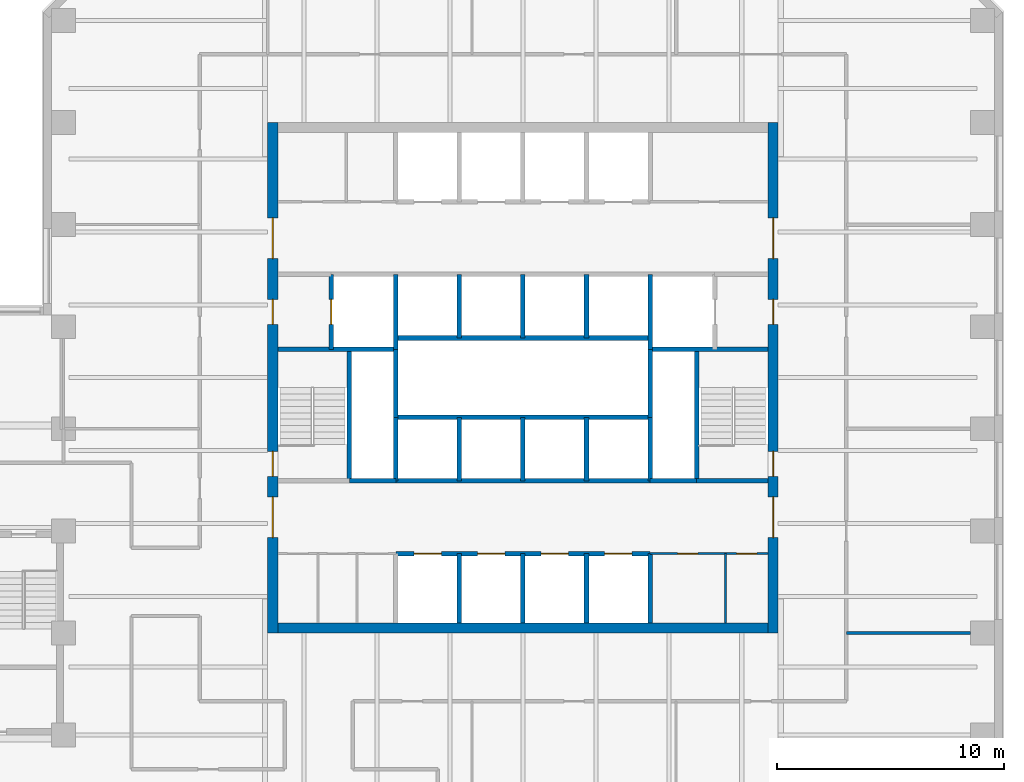
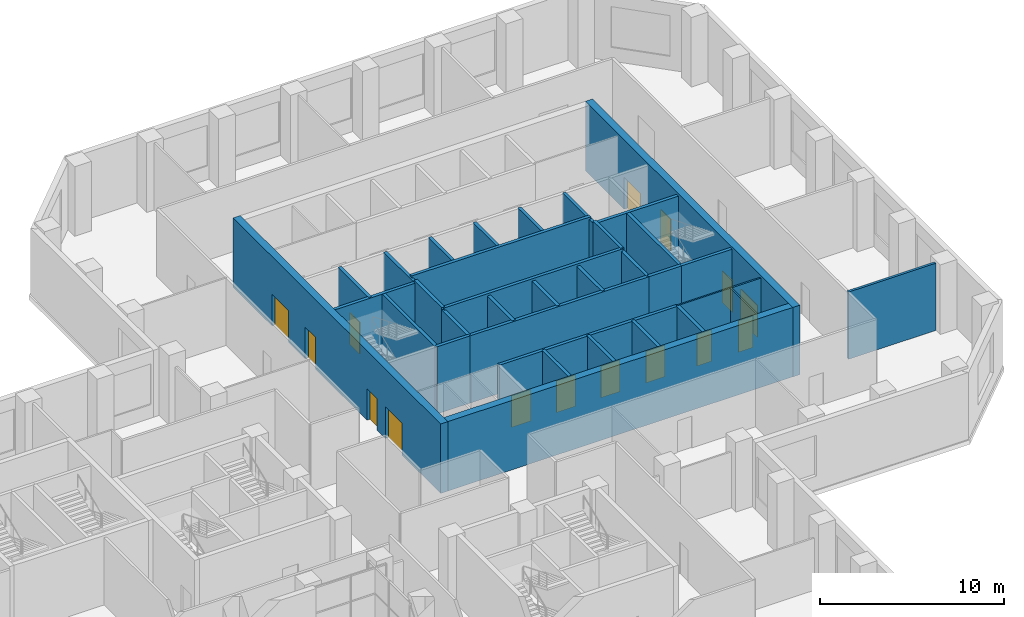
# One storey, part 9 of 14: 34 walls, 15 doors, 15 openings.
"""IFC4 building model written with IfcOpenShell, lengths in metres."""

from ifc_helpers import new_model, si_unit, direction, frame, frame_2d, origin, place, context, subcontext, project, spatial, rectangle, extrude, material, layer, layer_set, type_object, element, fill, save


model = new_model("IFC4")

# Units and contexts
model_context = context("Model", 3, precision=1e-05, world=origin(), true_north=direction((0.0, 1.0)))
body_context = subcontext(model_context, "Body", "Model", "MODEL_VIEW")
ifc_project = project(units=[si_unit("LENGTHUNIT", "METRE"), si_unit("AREAUNIT", "SQUARE_METRE"), si_unit("VOLUMEUNIT", "CUBIC_METRE"), si_unit("PLANEANGLEUNIT", "RADIAN"), si_unit("MASSUNIT", "GRAM", prefix="KILO")], contexts=[model_context])

# Site, building, storey
site_placement = place(None, origin())
site = spatial("IfcSite", under=ifc_project, at=site_placement, CompositionType="ELEMENT")
building_placement = place(site_placement, origin())
building = spatial("IfcBuilding", under=site, at=building_placement, Name="Quoin Convention Tower", CompositionType="ELEMENT")
storey_placement = place(building_placement, frame((0.0, 0.0, 74.300048828125)))
storey = spatial("IfcBuildingStorey", under=building, at=storey_placement, Name="L19", CompositionType="ELEMENT", Elevation=74.300048828125)

# Wall, openings, doors
ifc_material_1 = material(Name="Plasterboard")
ifc_layer_1 = layer(ifc_material_1, 0.012451171875, Name="Finish")
ifc_material_2 = material(Name="Steel stud framing", Category="steel")
ifc_layer_2 = layer(ifc_material_2, 0.074951171875, Name="Structure")
ifc_layer_3 = layer(ifc_material_1, 0.012451171875, Name="Finish")
ifc_layer_set_1 = layer_set([ifc_layer_1, ifc_layer_2, ifc_layer_3], Name="Steel stud framing")
wall_type_1 = type_object("IfcWallType", Name="Core partition wall", PredefinedType="PARTITIONING", material=ifc_layer_set_1)
wall_1_placement = place(storey_placement, frame((61.85009765625, 53.0, 0.0), z_axis=(0.0, 0.0, 1.0), x_axis=(1.0, 0.0, 0.0)))
wall_1 = element("IfcWall", 1, at=wall_1_placement, inside=storey, type_object=wall_type_1, Name="cr-C1-L19-h3500_16850", PredefinedType="PARTITIONING", context=body_context, shape_type="SweptSolid", body=[
    extrude(rectangle(XDim=5.199951171875, YDim=0.10009765625, at=frame_2d((2.60009765625, 0.0))), origin(), (0.0, 0.0, 1.0), 4.449951171875),
])
opening_1_placement = place(wall_1_placement, frame((3.81396484375, 0.0, 0.0)))
opening_1 = element("IfcOpeningElement", 2, at=opening_1_placement, cuts=wall_1, Name="Opening DCV1-25", PredefinedType="OPENING", context=body_context, shape_type="SweptSolid", body=[
    extrude(rectangle(XDim=0.89990234375, YDim=2.10009765625, at=frame_2d((0.449951171875, 1.050048828125))), frame((0.0, 0.06005859375, 0.0), z_axis=(0.0, -1.0, 0.0), x_axis=(1.0, 0.0, 0.0)), (0.0, 0.0, 1.0), 0.1201171875),
])
opening_2_placement = place(wall_1_placement, frame((1.214111328125, 0.0, 0.0)))
opening_2 = element("IfcOpeningElement", 3, at=opening_2_placement, cuts=wall_1, Name="Opening DCV1-21", PredefinedType="OPENING", context=body_context, shape_type="SweptSolid", body=[
    extrude(rectangle(XDim=0.89990234375, YDim=2.10009765625, at=frame_2d((0.449951171875, 1.050048828125))), frame((0.0, 0.06005859375, 0.0), z_axis=(0.0, -1.0, 0.0), x_axis=(1.0, 0.0, 0.0)), (0.0, 0.0, 1.0), 0.1201171875),
])
ifc_material_3 = material(Name="Steel door leaf", Category="steel")
door_type_1 = type_object("IfcDoorType", Name="Core room door 900 x 2100", OperationType="SINGLE_SWING_LEFT", PredefinedType="DOOR", material=ifc_material_3)
door_1_placement = place(opening_1_placement, frame((0.89990234375, 0.0, 0.0), z_axis=(0.0, 0.0, 1.0), x_axis=(-1.0, 0.0, 0.0)))
door_1 = element("IfcDoor", 4, at=door_1_placement, inside=storey, type_object=door_type_1, Name="cd-C1-L19-CSE0-lobA-CD1910", OperationType="SINGLE_SWING_LEFT", OverallHeight=2.10009765625, OverallWidth=0.89990234375, PredefinedType="DOOR", context=body_context, shape_type="SweptSolid", body=[
    extrude(rectangle(XDim=0.89990234375, YDim=2.10009765625, at=frame_2d((0.449951171875, 1.050048828125))), frame((0.0, 0.02490234375, 0.0), z_axis=(0.0, -1.0, 0.0), x_axis=(1.0, 0.0, 0.0)), (0.0, 0.0, 1.0), 0.050048828125),
])
fill(opening_1, door_1)
door_2_placement = place(opening_2_placement, frame((0.89990234375, 0.0, 0.0), z_axis=(0.0, 0.0, 1.0), x_axis=(-1.0, 0.0, 0.0)))
door_2 = element("IfcDoor", 5, at=door_2_placement, inside=storey, type_object=door_type_1, Name="cd-C1-L19-CSE1-lobA-CD1911", OperationType="SINGLE_SWING_RIGHT", OverallHeight=2.10009765625, OverallWidth=0.89990234375, PredefinedType="DOOR", context=body_context, shape_type="SweptSolid", body=[
    extrude(rectangle(XDim=0.89990234375, YDim=2.10009765625, at=frame_2d((0.449951171875, 1.050048828125))), frame((0.0, 0.02490234375, 0.0), z_axis=(0.0, -1.0, 0.0), x_axis=(1.0, 0.0, 0.0)), (0.0, 0.0, 1.0), 0.050048828125),
])
fill(opening_2, door_2)

# Wall
wall_2_placement = place(storey_placement, frame((65.177978515625, 49.949951171875, 0.0), z_axis=(0.0, 0.0, 1.0), x_axis=(0.0, 1.0, 0.0)))
element("IfcWall", 6, at=wall_2_placement, inside=storey, type_object=wall_type_1, Name="cr-C1-L19-v20178_450", PredefinedType="PARTITIONING", context=body_context, shape_type="SweptSolid", body=[
    extrude(rectangle(XDim=3.050048828125, YDim=0.10009765625, at=frame_2d((1.52490234375, 0.0))), origin(), (0.0, 0.0, 1.0), 4.449951171875),
])

# Wall, openings, doors
ifc_material_4 = material(Name="Concrete C50", Category="concrete")
ifc_layer_4 = layer(ifc_material_4, 0.199951171875)
ifc_layer_set_2 = layer_set([ifc_layer_4], Name="Concrete C50")
wall_type_2 = type_object("IfcWallType", Name="Core shaft wall", PredefinedType="SOLIDWALL", material=ifc_layer_set_2)
wall_3_placement = place(storey_placement, frame((50.64990234375, 53.0, 0.0), z_axis=(0.0, 0.0, 1.0), x_axis=(1.0, 0.0, 0.0)))
wall_3 = element("IfcWall", 7, at=wall_3_placement, inside=storey, type_object=wall_type_2, Name="cr-C1-L19-h3500_5650", PredefinedType="SOLIDWALL", context=body_context, shape_type="SweptSolid", body=[
    extrude(rectangle(XDim=11.2001953125, YDim=0.199951171875, at=frame_2d((5.60009765625, 0.0))), origin(), (0.0, 0.0, 1.0), 4.449951171875),
])
opening_3_placement = place(wall_3_placement, frame((0.800048828125, 0.0, 0.0)))
opening_3 = element("IfcOpeningElement", 8, at=opening_3_placement, cuts=wall_3, Name="Opening LDL1", PredefinedType="OPENING", context=body_context, shape_type="SweptSolid", body=[
    extrude(rectangle(XDim=1.199951171875, YDim=2.10009765625, at=frame_2d((0.60009765625, 1.050048828125))), frame((0.0, 0.10986328125, 0.0), z_axis=(0.0, -1.0, 0.0), x_axis=(1.0, 0.0, 0.0)), (0.0, 0.0, 1.0), 0.219970703125),
])
opening_4_placement = place(wall_3_placement, frame((3.60009765625, 0.0, 0.0)))
opening_4 = element("IfcOpeningElement", 9, at=opening_4_placement, cuts=wall_3, Name="Opening LDL2", PredefinedType="OPENING", context=body_context, shape_type="SweptSolid", body=[
    extrude(rectangle(XDim=1.199951171875, YDim=2.10009765625, at=frame_2d((0.60009765625, 1.050048828125))), frame((0.0, 0.10986328125, 0.0), z_axis=(0.0, -1.0, 0.0), x_axis=(1.0, 0.0, 0.0)), (0.0, 0.0, 1.0), 0.219970703125),
])
opening_5_placement = place(wall_3_placement, frame((6.39990234375, 0.0, 0.0)))
opening_5 = element("IfcOpeningElement", 10, at=opening_5_placement, cuts=wall_3, Name="Opening LDL3", PredefinedType="OPENING", context=body_context, shape_type="SweptSolid", body=[
    extrude(rectangle(XDim=1.199951171875, YDim=2.10009765625, at=frame_2d((0.60009765625, 1.050048828125))), frame((0.0, 0.10986328125, 0.0), z_axis=(0.0, -1.0, 0.0), x_axis=(1.0, 0.0, 0.0)), (0.0, 0.0, 1.0), 0.219970703125),
])
opening_6_placement = place(wall_3_placement, frame((9.199951171875, 0.0, 0.0)))
opening_6 = element("IfcOpeningElement", 11, at=opening_6_placement, cuts=wall_3, Name="Opening LDL4", PredefinedType="OPENING", context=body_context, shape_type="SweptSolid", body=[
    extrude(rectangle(XDim=1.199951171875, YDim=2.10009765625, at=frame_2d((0.60009765625, 1.050048828125))), frame((0.0, 0.10986328125, 0.0), z_axis=(0.0, -1.0, 0.0), x_axis=(1.0, 0.0, 0.0)), (0.0, 0.0, 1.0), 0.219970703125),
])
door_type_2 = type_object("IfcDoorType", Name="Lift landing door 1200 x 2100", OperationType="DOUBLE_DOOR_SLIDING", PredefinedType="DOOR", material=ifc_material_3)
door_3_placement = place(opening_3_placement, origin())
door_3 = element("IfcDoor", 12, at=door_3_placement, inside=storey, type_object=door_type_2, Name="cd-C1-L19-R10-lobA-LDL1", OperationType="DOUBLE_DOOR_SLIDING", OverallHeight=2.10009765625, OverallWidth=1.199951171875, PredefinedType="DOOR", context=body_context, shape_type="SweptSolid", body=[
    extrude(rectangle(XDim=1.199951171875, YDim=2.10009765625, at=frame_2d((0.60009765625, 1.050048828125))), frame((0.0, 0.02490234375, 0.0), z_axis=(0.0, -1.0, 0.0), x_axis=(1.0, 0.0, 0.0)), (0.0, 0.0, 1.0), 0.050048828125),
])
fill(opening_3, door_3)
door_4_placement = place(opening_4_placement, origin())
door_4 = element("IfcDoor", 13, at=door_4_placement, inside=storey, type_object=door_type_2, Name="cd-C1-L19-R11-lobA-LDL2", OperationType="DOUBLE_DOOR_SLIDING", OverallHeight=2.10009765625, OverallWidth=1.199951171875, PredefinedType="DOOR", context=body_context, shape_type="SweptSolid", body=[
    extrude(rectangle(XDim=1.199951171875, YDim=2.10009765625, at=frame_2d((0.60009765625, 1.050048828125))), frame((0.0, 0.02490234375, 0.0), z_axis=(0.0, -1.0, 0.0), x_axis=(1.0, 0.0, 0.0)), (0.0, 0.0, 1.0), 0.050048828125),
])
fill(opening_4, door_4)
door_5_placement = place(opening_5_placement, origin())
door_5 = element("IfcDoor", 14, at=door_5_placement, inside=storey, type_object=door_type_2, Name="cd-C1-L19-R12-lobA-LDL3", OperationType="DOUBLE_DOOR_SLIDING", OverallHeight=2.10009765625, OverallWidth=1.199951171875, PredefinedType="DOOR", context=body_context, shape_type="SweptSolid", body=[
    extrude(rectangle(XDim=1.199951171875, YDim=2.10009765625, at=frame_2d((0.60009765625, 1.050048828125))), frame((0.0, 0.02490234375, 0.0), z_axis=(0.0, -1.0, 0.0), x_axis=(1.0, 0.0, 0.0)), (0.0, 0.0, 1.0), 0.050048828125),
])
fill(opening_5, door_5)
door_6_placement = place(opening_6_placement, origin())
door_6 = element("IfcDoor", 15, at=door_6_placement, inside=storey, type_object=door_type_2, Name="cd-C1-L19-R13-lobA-LDL4", OperationType="DOUBLE_DOOR_SLIDING", OverallHeight=2.10009765625, OverallWidth=1.199951171875, PredefinedType="DOOR", context=body_context, shape_type="SweptSolid", body=[
    extrude(rectangle(XDim=1.199951171875, YDim=2.10009765625, at=frame_2d((0.60009765625, 1.050048828125))), frame((0.0, 0.02490234375, 0.0), z_axis=(0.0, -1.0, 0.0), x_axis=(1.0, 0.0, 0.0)), (0.0, 0.0, 1.0), 0.050048828125),
])
fill(opening_6, door_6)

# Walls
for number, where, z_axis, x_axis, name in (
    (16, (48.60009765625, 56.199951171875, 0.0), (0.0, 0.0, 1.0), (1.0, 0.0, 0.0), "cr-C1-L19-h6700_3600"),
    (17, (61.85009765625, 56.199951171875, 0.0), (0.0, 0.0, 1.0), (1.0, 0.0, 0.0), "cr-C1-L19-h6700_16850"),
):
    element("IfcWall", number, at=place(storey_placement, frame(where, z_axis=z_axis, x_axis=x_axis)), inside=storey, type_object=wall_type_2, Name=name, PredefinedType="SOLIDWALL", context=body_context, shape_type="SweptSolid", body=[
        extrude(rectangle(XDim=2.0498046875, YDim=0.199951171875, at=frame_2d((1.02490234375, 0.0))), origin(), (0.0, 0.0, 1.0), 4.449951171875),
    ])
wall_4_placement = place(storey_placement, frame((50.64990234375, 56.199951171875, 0.0), z_axis=(0.0, 0.0, 1.0), x_axis=(1.0, 0.0, 0.0)))
element("IfcWall", 18, at=wall_4_placement, inside=storey, type_object=wall_type_2, Name="cr-C1-L19-h6700_5650", PredefinedType="SOLIDWALL", context=body_context, shape_type="SweptSolid", body=[
    extrude(rectangle(XDim=11.2001953125, YDim=0.199951171875, at=frame_2d((5.60009765625, 0.0))), origin(), (0.0, 0.0, 1.0), 4.449951171875),
])
wall_5_placement = place(storey_placement, frame((63.89990234375, 56.199951171875, 0.0), z_axis=(0.0, 0.0, 1.0), x_axis=(1.0, 0.0, 0.0)))
element("IfcWall", 19, at=wall_5_placement, inside=storey, type_object=wall_type_2, Name="cr-C1-L19-h6700_18900", PredefinedType="SOLIDWALL", context=body_context, shape_type="SweptSolid", body=[
    extrude(rectangle(XDim=3.150146484375, YDim=0.199951171875, at=frame_2d((1.5751953125, 0.0))), origin(), (0.0, 0.0, 1.0), 4.449951171875),
])
for number, where, z_axis, x_axis, name in (
    (20, (45.449951171875, 62.0, 0.0), (0.0, 0.0, 1.0), (1.0, 0.0, 0.0), "cr-C1-L19-h12500_450"),
    (21, (61.85009765625, 62.0, 0.0), (0.0, 0.0, 1.0), (1.0, 0.0, 0.0), "cr-C1-L19-h12500_16850"),
):
    element("IfcWall", number, at=place(storey_placement, frame(where, z_axis=z_axis, x_axis=x_axis)), inside=storey, type_object=wall_type_2, Name=name, PredefinedType="SOLIDWALL", context=body_context, shape_type="SweptSolid", body=[
        extrude(rectangle(XDim=5.199951171875, YDim=0.199951171875, at=frame_2d((2.60009765625, 0.0))), origin(), (0.0, 0.0, 1.0), 4.449951171875),
    ])

# Wall, opening, door
wall_6_placement = place(storey_placement, frame((47.800048828125, 62.0, 0.0), z_axis=(0.0, 0.0, 1.0), x_axis=(0.0, 1.0, 0.0)))
wall_6 = element("IfcWall", 22, at=wall_6_placement, inside=storey, type_object=wall_type_2, Name="cr-C1-L19-v2800_12500", PredefinedType="SOLIDWALL", context=body_context, shape_type="SweptSolid", body=[
    extrude(rectangle(XDim=3.300048828125, YDim=0.199951171875, at=frame_2d((1.64990234375, 0.0))), origin(), (0.0, 0.0, 1.0), 4.449951171875),
])
opening_7_placement = place(wall_6_placement, frame((1.10009765625, 0.0, 0.0)))
opening_7 = element("IfcOpeningElement", 23, at=opening_7_placement, cuts=wall_6, Name="Opening LDFL1", PredefinedType="OPENING", context=body_context, shape_type="SweptSolid", body=[
    extrude(rectangle(XDim=1.10009765625, YDim=2.10009765625, at=frame_2d((0.550048828125, 1.050048828125))), frame((0.0, 0.10986328125, 0.0), z_axis=(0.0, -1.0, 0.0), x_axis=(1.0, 0.0, 0.0)), (0.0, 0.0, 1.0), 0.219970703125),
])
door_type_3 = type_object("IfcDoorType", Name="Lift landing door 1100 x 2100", OperationType="DOUBLE_DOOR_SLIDING", PredefinedType="DOOR", material=ifc_material_3)
door_7_placement = place(opening_7_placement, origin())
door_7 = element("IfcDoor", 24, at=door_7_placement, inside=storey, type_object=door_type_3, Name="cd-C1-L19-FLW-FFW-LDFL1", OperationType="DOUBLE_DOOR_SLIDING", OverallHeight=2.10009765625, OverallWidth=1.10009765625, PredefinedType="DOOR", context=body_context, shape_type="SweptSolid", body=[
    extrude(rectangle(XDim=1.10009765625, YDim=2.10009765625, at=frame_2d((0.550048828125, 1.050048828125))), frame((0.0, 0.02490234375, 0.0), z_axis=(0.0, -1.0, 0.0), x_axis=(1.0, 0.0, 0.0)), (0.0, 0.0, 1.0), 0.050048828125),
])
fill(opening_7, door_7)

# Walls
wall_7_placement = place(storey_placement, frame((48.60009765625, 56.199951171875, 0.0), z_axis=(0.0, 0.0, 1.0), x_axis=(0.0, 1.0, 0.0)))
element("IfcWall", 25, at=wall_7_placement, inside=storey, type_object=wall_type_2, Name="cr-C1-L19-v3600_6700", PredefinedType="SOLIDWALL", context=body_context, shape_type="SweptSolid", body=[
    extrude(rectangle(XDim=5.800048828125, YDim=0.199951171875, at=frame_2d((2.89990234375, 0.0))), origin(), (0.0, 0.0, 1.0), 4.449951171875),
])
wall_8_placement = place(storey_placement, frame((50.64990234375, 56.199951171875, 0.0), z_axis=(0.0, 0.0, 1.0), x_axis=(0.0, 1.0, 0.0)))
element("IfcWall", 26, at=wall_8_placement, inside=storey, type_object=wall_type_2, Name="cr-C1-L19-v5650_6700", PredefinedType="SOLIDWALL", context=body_context, shape_type="SweptSolid", body=[
    extrude(rectangle(XDim=2.800048828125, YDim=0.199951171875, at=frame_2d((1.39990234375, 0.0))), origin(), (0.0, 0.0, 1.0), 4.449951171875),
])
wall_9_placement = place(storey_placement, frame((50.64990234375, 62.0, 0.0), z_axis=(0.0, 0.0, 1.0), x_axis=(0.0, 1.0, 0.0)))
element("IfcWall", 27, at=wall_9_placement, inside=storey, type_object=wall_type_2, Name="cr-C1-L19-v5650_12500", PredefinedType="SOLIDWALL", context=body_context, shape_type="SweptSolid", body=[
    extrude(rectangle(XDim=3.300048828125, YDim=0.199951171875, at=frame_2d((1.64990234375, 0.0))), origin(), (0.0, 0.0, 1.0), 4.449951171875),
])
wall_10_placement = place(storey_placement, frame((53.449951171875, 49.949951171875, 0.0), z_axis=(0.0, 0.0, 1.0), x_axis=(0.0, 1.0, 0.0)))
element("IfcWall", 28, at=wall_10_placement, inside=storey, type_object=wall_type_2, Name="cr-C1-L19-v8450_450", PredefinedType="SOLIDWALL", context=body_context, shape_type="SweptSolid", body=[
    extrude(rectangle(XDim=3.050048828125, YDim=0.199951171875, at=frame_2d((1.52490234375, 0.0))), origin(), (0.0, 0.0, 1.0), 4.449951171875),
])
for number, where, z_axis, x_axis, name in (
    (29, (53.449951171875, 56.199951171875, 0.0), (0.0, 0.0, 1.0), (0.0, 1.0, 0.0), "cr-C1-L19-v8450_6700"),
    (30, (53.449951171875, 62.5, 0.0), (0.0, 0.0, 1.0), (0.0, 1.0, 0.0), "cr-C1-L19-v8450_13000"),
):
    element("IfcWall", number, at=place(storey_placement, frame(where, z_axis=z_axis, x_axis=x_axis)), inside=storey, type_object=wall_type_2, Name=name, PredefinedType="SOLIDWALL", context=body_context, shape_type="SweptSolid", body=[
        extrude(rectangle(XDim=2.800048828125, YDim=0.199951171875, at=frame_2d((1.39990234375, 0.0))), origin(), (0.0, 0.0, 1.0), 4.449951171875),
    ])
wall_11_placement = place(storey_placement, frame((56.25, 49.949951171875, 0.0), z_axis=(0.0, 0.0, 1.0), x_axis=(0.0, 1.0, 0.0)))
element("IfcWall", 31, at=wall_11_placement, inside=storey, type_object=wall_type_2, Name="cr-C1-L19-v11250_450", PredefinedType="SOLIDWALL", context=body_context, shape_type="SweptSolid", body=[
    extrude(rectangle(XDim=3.050048828125, YDim=0.199951171875, at=frame_2d((1.52490234375, 0.0))), origin(), (0.0, 0.0, 1.0), 4.449951171875),
])
for number, where, z_axis, x_axis, name in (
    (32, (56.25, 56.199951171875, 0.0), (0.0, 0.0, 1.0), (0.0, 1.0, 0.0), "cr-C1-L19-v11250_6700"),
    (33, (56.25, 62.5, 0.0), (0.0, 0.0, 1.0), (0.0, 1.0, 0.0), "cr-C1-L19-v11250_13000"),
):
    element("IfcWall", number, at=place(storey_placement, frame(where, z_axis=z_axis, x_axis=x_axis)), inside=storey, type_object=wall_type_2, Name=name, PredefinedType="SOLIDWALL", context=body_context, shape_type="SweptSolid", body=[
        extrude(rectangle(XDim=2.800048828125, YDim=0.199951171875, at=frame_2d((1.39990234375, 0.0))), origin(), (0.0, 0.0, 1.0), 4.449951171875),
    ])
wall_12_placement = place(storey_placement, frame((59.050048828125, 49.949951171875, 0.0), z_axis=(0.0, 0.0, 1.0), x_axis=(0.0, 1.0, 0.0)))
element("IfcWall", 34, at=wall_12_placement, inside=storey, type_object=wall_type_2, Name="cr-C1-L19-v14050_450", PredefinedType="SOLIDWALL", context=body_context, shape_type="SweptSolid", body=[
    extrude(rectangle(XDim=3.050048828125, YDim=0.199951171875, at=frame_2d((1.52490234375, 0.0))), origin(), (0.0, 0.0, 1.0), 4.449951171875),
])
for number, where, z_axis, x_axis, name in (
    (35, (59.050048828125, 56.199951171875, 0.0), (0.0, 0.0, 1.0), (0.0, 1.0, 0.0), "cr-C1-L19-v14050_6700"),
    (36, (59.050048828125, 62.5, 0.0), (0.0, 0.0, 1.0), (0.0, 1.0, 0.0), "cr-C1-L19-v14050_13000"),
):
    element("IfcWall", number, at=place(storey_placement, frame(where, z_axis=z_axis, x_axis=x_axis)), inside=storey, type_object=wall_type_2, Name=name, PredefinedType="SOLIDWALL", context=body_context, shape_type="SweptSolid", body=[
        extrude(rectangle(XDim=2.800048828125, YDim=0.199951171875, at=frame_2d((1.39990234375, 0.0))), origin(), (0.0, 0.0, 1.0), 4.449951171875),
    ])
wall_13_placement = place(storey_placement, frame((61.85009765625, 49.949951171875, 0.0), z_axis=(0.0, 0.0, 1.0), x_axis=(0.0, 1.0, 0.0)))
element("IfcWall", 37, at=wall_13_placement, inside=storey, type_object=wall_type_2, Name="cr-C1-L19-v16850_450", PredefinedType="SOLIDWALL", context=body_context, shape_type="SweptSolid", body=[
    extrude(rectangle(XDim=3.050048828125, YDim=0.199951171875, at=frame_2d((1.52490234375, 0.0))), origin(), (0.0, 0.0, 1.0), 4.449951171875),
])
wall_14_placement = place(storey_placement, frame((61.85009765625, 56.199951171875, 0.0), z_axis=(0.0, 0.0, 1.0), x_axis=(0.0, 1.0, 0.0)))
element("IfcWall", 38, at=wall_14_placement, inside=storey, type_object=wall_type_2, Name="cr-C1-L19-v16850_6700", PredefinedType="SOLIDWALL", context=body_context, shape_type="SweptSolid", body=[
    extrude(rectangle(XDim=2.800048828125, YDim=0.199951171875, at=frame_2d((1.39990234375, 0.0))), origin(), (0.0, 0.0, 1.0), 4.449951171875),
])
wall_15_placement = place(storey_placement, frame((61.85009765625, 62.0, 0.0), z_axis=(0.0, 0.0, 1.0), x_axis=(0.0, 1.0, 0.0)))
element("IfcWall", 39, at=wall_15_placement, inside=storey, type_object=wall_type_2, Name="cr-C1-L19-v16850_12500", PredefinedType="SOLIDWALL", context=body_context, shape_type="SweptSolid", body=[
    extrude(rectangle(XDim=3.300048828125, YDim=0.199951171875, at=frame_2d((1.64990234375, 0.0))), origin(), (0.0, 0.0, 1.0), 4.449951171875),
])
wall_16_placement = place(storey_placement, frame((63.89990234375, 56.199951171875, 0.0), z_axis=(0.0, 0.0, 1.0), x_axis=(0.0, 1.0, 0.0)))
element("IfcWall", 40, at=wall_16_placement, inside=storey, type_object=wall_type_2, Name="cr-C1-L19-v18900_6700", PredefinedType="SOLIDWALL", context=body_context, shape_type="SweptSolid", body=[
    extrude(rectangle(XDim=5.800048828125, YDim=0.199951171875, at=frame_2d((2.89990234375, 0.0))), origin(), (0.0, 0.0, 1.0), 4.449951171875),
])
ifc_layer_5 = layer(ifc_material_4, 0.199951171875)
ifc_layer_set_3 = layer_set([ifc_layer_5], Name="Concrete C50")
wall_type_3 = type_object("IfcWallType", Name="Core shaft wall to the floor level over", PredefinedType="SOLIDWALL", material=ifc_layer_set_3)
for number, where, z_axis, x_axis, name in (
    (41, (50.64990234375, 59.0, 0.0), (0.0, 0.0, 1.0), (1.0, 0.0, 0.0), "cr-C1-L19-h9500_5650"),
    (42, (50.64990234375, 62.5, 0.0), (0.0, 0.0, 1.0), (1.0, 0.0, 0.0), "cr-C1-L19-h13000_5650"),
):
    element("IfcWall", number, at=place(storey_placement, frame(where, z_axis=z_axis, x_axis=x_axis)), inside=storey, type_object=wall_type_3, Name=name, PredefinedType="SOLIDWALL", context=body_context, shape_type="SweptSolid", body=[
        extrude(rectangle(XDim=11.2001953125, YDim=0.199951171875, at=frame_2d((5.60009765625, 0.0))), origin(), (0.0, 0.0, 1.0), 4.599853515625),
    ])
for number, where, z_axis, x_axis, name in (
    (43, (50.64990234375, 59.0, 0.0), (0.0, 0.0, 1.0), (0.0, 1.0, 0.0), "cr-C1-L19-v5650_9500"),
    (44, (61.85009765625, 59.0, 0.0), (0.0, 0.0, 1.0), (0.0, 1.0, 0.0), "cr-C1-L19-v16850_9500"),
):
    element("IfcWall", number, at=place(storey_placement, frame(where, z_axis=z_axis, x_axis=x_axis)), inside=storey, type_object=wall_type_3, Name=name, PredefinedType="SOLIDWALL", context=body_context, shape_type="SweptSolid", body=[
        extrude(rectangle(XDim=3.0, YDim=0.199951171875, at=frame_2d((1.5, 0.0))), origin(), (0.0, 0.0, 1.0), 4.599853515625),
    ])
ifc_material_5 = material(Name="Concrete C65", Category="concrete")
ifc_layer_6 = layer(ifc_material_5, 0.449951171875)
ifc_layer_set_4 = layer_set([ifc_layer_6], Name="Concrete C65")
wall_type_4 = type_object("IfcWallType", Name="RC CORE WALL 450 C65", PredefinedType="SHEAR", material=ifc_layer_set_4)
wall_17_placement = place(storey_placement, frame((45.449951171875, 49.72509765625, 0.0), z_axis=(0.0, 0.0, 1.0), x_axis=(1.0, 0.0, 0.0)))
element("IfcWall", 45, at=wall_17_placement, inside=storey, type_object=wall_type_4, Name="cwl-C1-L19-S", PredefinedType="SHEAR", context=body_context, shape_type="SweptSolid", body=[
    extrude(rectangle(XDim=21.60009765625, YDim=0.449951171875, at=frame_2d((10.800048828125, 0.0))), origin(), (0.0, 0.0, 1.0), 4.599853515625),
])

# Wall, openings, doors
wall_18_placement = place(storey_placement, frame((45.22509765625, 49.5, 0.0), z_axis=(0.0, 0.0, 1.0), x_axis=(0.0, 1.0, 0.0)))
wall_18 = element("IfcWall", 46, at=wall_18_placement, inside=storey, type_object=wall_type_4, Name="cwl-C1-L19-W", PredefinedType="SHEAR", context=body_context, shape_type="SweptSolid", body=[
    extrude(rectangle(XDim=22.5, YDim=0.449951171875, at=frame_2d((11.25, 0.0))), origin(), (0.0, 0.0, 1.0), 4.599853515625),
])
opening_8_placement = place(wall_18_placement, frame((4.199951171875, 0.0, 0.0)))
opening_8 = element("IfcOpeningElement", 47, at=opening_8_placement, cuts=wall_18, Name="Opening DCV1-49", PredefinedType="OPENING", context=body_context, shape_type="SweptSolid", body=[
    extrude(rectangle(XDim=1.800048828125, YDim=2.10009765625, at=frame_2d((0.89990234375, 1.050048828125))), frame((0.0, 0.23486328125, 0.0), z_axis=(0.0, -1.0, 0.0), x_axis=(1.0, 0.0, 0.0)), (0.0, 0.0, 1.0), 0.469970703125),
])
opening_9_placement = place(wall_18_placement, frame((6.89990234375, 0.0, 0.0)))
opening_9 = element("IfcOpeningElement", 48, at=opening_9_placement, cuts=wall_18, Name="Opening SD1", PredefinedType="OPENING", context=body_context, shape_type="SweptSolid", body=[
    extrude(rectangle(XDim=1.10009765625, YDim=2.10009765625, at=frame_2d((0.550048828125, 1.050048828125))), frame((0.0, 0.23486328125, 0.0), z_axis=(0.0, -1.0, 0.0), x_axis=(1.0, 0.0, 0.0)), (0.0, 0.0, 1.0), 0.469970703125),
])
opening_10_placement = place(wall_18_placement, frame((13.60009765625, 0.0, 0.0)))
opening_10 = element("IfcOpeningElement", 49, at=opening_10_placement, cuts=wall_18, Name="Opening DCV1-48", PredefinedType="OPENING", context=body_context, shape_type="SweptSolid", body=[
    extrude(rectangle(XDim=1.10009765625, YDim=2.10009765625, at=frame_2d((0.550048828125, 1.050048828125))), frame((0.0, 0.23486328125, 0.0), z_axis=(0.0, -1.0, 0.0), x_axis=(1.0, 0.0, 0.0)), (0.0, 0.0, 1.0), 0.469970703125),
])
opening_11_placement = place(wall_18_placement, frame((16.5, 0.0, 0.0)))
opening_11 = element("IfcOpeningElement", 50, at=opening_11_placement, cuts=wall_18, Name="Opening DCV1-49", PredefinedType="OPENING", context=body_context, shape_type="SweptSolid", body=[
    extrude(rectangle(XDim=1.800048828125, YDim=2.10009765625, at=frame_2d((0.89990234375, 1.050048828125))), frame((0.0, 0.23486328125, 0.0), z_axis=(0.0, -1.0, 0.0), x_axis=(1.0, 0.0, 0.0)), (0.0, 0.0, 1.0), 0.469970703125),
])
door_type_4 = type_object("IfcDoorType", Name="Fire-fighting lobby door 1100 x 2100", OperationType="SINGLE_SWING_LEFT", PredefinedType="DOOR", material=ifc_material_3)
door_8_placement = place(opening_10_placement, frame((1.10009765625, 0.0, 0.0), z_axis=(0.0, 0.0, 1.0), x_axis=(-1.0, 0.0, 0.0)))
door_8 = element("IfcDoor", 51, at=door_8_placement, inside=storey, type_object=door_type_4, Name="cd-C1-L19-FFW-W", OperationType="SINGLE_SWING_LEFT", OverallHeight=2.10009765625, OverallWidth=1.10009765625, PredefinedType="DOOR", context=body_context, shape_type="SweptSolid", body=[
    extrude(rectangle(XDim=1.10009765625, YDim=2.10009765625, at=frame_2d((0.550048828125, 1.050048828125))), frame((0.0, 0.02490234375, 0.0), z_axis=(0.0, -1.0, 0.0), x_axis=(1.0, 0.0, 0.0)), (0.0, 0.0, 1.0), 0.050048828125),
])
fill(opening_10, door_8)
door_type_5 = type_object("IfcDoorType", Name="Lift lobby door 1800 x 2100", OperationType="SINGLE_SWING_LEFT", PredefinedType="DOOR", material=ifc_material_3)
door_9_placement = place(opening_8_placement, frame((1.800048828125, 0.0, 0.0), z_axis=(0.0, 0.0, 1.0), x_axis=(-1.0, 0.0, 0.0)))
door_9 = element("IfcDoor", 52, at=door_9_placement, inside=storey, type_object=door_type_5, Name="cd-C1-L19-lobA-W", OperationType="SINGLE_SWING_LEFT", OverallHeight=2.10009765625, OverallWidth=1.800048828125, PredefinedType="DOOR", context=body_context, shape_type="SweptSolid", body=[
    extrude(rectangle(XDim=1.800048828125, YDim=2.10009765625, at=frame_2d((0.89990234375, 1.050048828125))), frame((0.0, 0.02490234375, 0.0), z_axis=(0.0, -1.0, 0.0), x_axis=(1.0, 0.0, 0.0)), (0.0, 0.0, 1.0), 0.050048828125),
])
fill(opening_8, door_9)
door_10_placement = place(opening_11_placement, frame((1.800048828125, 0.0, 0.0), z_axis=(0.0, 0.0, 1.0), x_axis=(-1.0, 0.0, 0.0)))
door_10 = element("IfcDoor", 53, at=door_10_placement, inside=storey, type_object=door_type_5, Name="cd-C1-L19-lobB-W", OperationType="SINGLE_SWING_LEFT", OverallHeight=2.10009765625, OverallWidth=1.800048828125, PredefinedType="DOOR", context=body_context, shape_type="SweptSolid", body=[
    extrude(rectangle(XDim=1.800048828125, YDim=2.10009765625, at=frame_2d((0.89990234375, 1.050048828125))), frame((0.0, 0.02490234375, 0.0), z_axis=(0.0, -1.0, 0.0), x_axis=(1.0, 0.0, 0.0)), (0.0, 0.0, 1.0), 0.050048828125),
])
fill(opening_11, door_10)
door_type_6 = type_object("IfcDoorType", Name="Stair door 1100 x 2100", OperationType="SINGLE_SWING_RIGHT", PredefinedType="DOOR", material=ifc_material_3)
door_11_placement = place(opening_9_placement, frame((1.10009765625, 0.0, 0.0), z_axis=(0.0, 0.0, 1.0), x_axis=(-1.0, 0.0, 0.0)))
door_11 = element("IfcDoor", 54, at=door_11_placement, inside=storey, type_object=door_type_6, Name="cd-C1-L19-STW-W", OperationType="SINGLE_SWING_RIGHT", OverallHeight=2.10009765625, OverallWidth=1.10009765625, PredefinedType="DOOR", context=body_context, shape_type="SweptSolid", body=[
    extrude(rectangle(XDim=1.10009765625, YDim=2.10009765625, at=frame_2d((0.550048828125, 1.050048828125))), frame((0.0, 0.02490234375, 0.0), z_axis=(0.0, -1.0, 0.0), x_axis=(1.0, 0.0, 0.0)), (0.0, 0.0, 1.0), 0.050048828125),
])
fill(opening_9, door_11)

wall_19_placement = place(storey_placement, frame((67.27490234375, 49.5, 0.0), z_axis=(0.0, 0.0, 1.0), x_axis=(0.0, 1.0, 0.0)))
wall_19 = element("IfcWall", 55, at=wall_19_placement, inside=storey, type_object=wall_type_4, Name="cwl-C1-L19-E", PredefinedType="SHEAR", context=body_context, shape_type="SweptSolid", body=[
    extrude(rectangle(XDim=22.5, YDim=0.449951171875, at=frame_2d((11.25, 0.0))), origin(), (0.0, 0.0, 1.0), 4.599853515625),
])
opening_12_placement = place(wall_19_placement, frame((4.199951171875, 0.0, 0.0)))
opening_12 = element("IfcOpeningElement", 56, at=opening_12_placement, cuts=wall_19, Name="Opening DCV1-47", PredefinedType="OPENING", context=body_context, shape_type="SweptSolid", body=[
    extrude(rectangle(XDim=1.800048828125, YDim=2.10009765625, at=frame_2d((0.89990234375, 1.050048828125))), frame((0.0, 0.23486328125, 0.0), z_axis=(0.0, -1.0, 0.0), x_axis=(1.0, 0.0, 0.0)), (0.0, 0.0, 1.0), 0.469970703125),
])
opening_13_placement = place(wall_19_placement, frame((6.89990234375, 0.0, 0.0)))
opening_13 = element("IfcOpeningElement", 57, at=opening_13_placement, cuts=wall_19, Name="Opening SD2", PredefinedType="OPENING", context=body_context, shape_type="SweptSolid", body=[
    extrude(rectangle(XDim=1.10009765625, YDim=2.10009765625, at=frame_2d((0.550048828125, 1.050048828125))), frame((0.0, 0.23486328125, 0.0), z_axis=(0.0, -1.0, 0.0), x_axis=(1.0, 0.0, 0.0)), (0.0, 0.0, 1.0), 0.469970703125),
])
opening_14_placement = place(wall_19_placement, frame((13.60009765625, 0.0, 0.0)))
opening_14 = element("IfcOpeningElement", 58, at=opening_14_placement, cuts=wall_19, Name="Opening DCV1-46", PredefinedType="OPENING", context=body_context, shape_type="SweptSolid", body=[
    extrude(rectangle(XDim=1.10009765625, YDim=2.10009765625, at=frame_2d((0.550048828125, 1.050048828125))), frame((0.0, 0.23486328125, 0.0), z_axis=(0.0, -1.0, 0.0), x_axis=(1.0, 0.0, 0.0)), (0.0, 0.0, 1.0), 0.469970703125),
])
opening_15_placement = place(wall_19_placement, frame((16.5, 0.0, 0.0)))
opening_15 = element("IfcOpeningElement", 59, at=opening_15_placement, cuts=wall_19, Name="Opening DCV1-47", PredefinedType="OPENING", context=body_context, shape_type="SweptSolid", body=[
    extrude(rectangle(XDim=1.800048828125, YDim=2.10009765625, at=frame_2d((0.89990234375, 1.050048828125))), frame((0.0, 0.23486328125, 0.0), z_axis=(0.0, -1.0, 0.0), x_axis=(1.0, 0.0, 0.0)), (0.0, 0.0, 1.0), 0.469970703125),
])
door_12_placement = place(opening_14_placement, origin())
door_12 = element("IfcDoor", 60, at=door_12_placement, inside=storey, type_object=door_type_4, Name="cd-C1-L19-FFE-E", OperationType="SINGLE_SWING_RIGHT", OverallHeight=2.10009765625, OverallWidth=1.10009765625, PredefinedType="DOOR", context=body_context, shape_type="SweptSolid", body=[
    extrude(rectangle(XDim=1.10009765625, YDim=2.10009765625, at=frame_2d((0.550048828125, 1.050048828125))), frame((0.0, 0.02490234375, 0.0), z_axis=(0.0, -1.0, 0.0), x_axis=(1.0, 0.0, 0.0)), (0.0, 0.0, 1.0), 0.050048828125),
])
fill(opening_14, door_12)
door_13_placement = place(opening_12_placement, origin())
door_13 = element("IfcDoor", 61, at=door_13_placement, inside=storey, type_object=door_type_5, Name="cd-C1-L19-lobA-E", OperationType="SINGLE_SWING_RIGHT", OverallHeight=2.10009765625, OverallWidth=1.800048828125, PredefinedType="DOOR", context=body_context, shape_type="SweptSolid", body=[
    extrude(rectangle(XDim=1.800048828125, YDim=2.10009765625, at=frame_2d((0.89990234375, 1.050048828125))), frame((0.0, 0.02490234375, 0.0), z_axis=(0.0, -1.0, 0.0), x_axis=(1.0, 0.0, 0.0)), (0.0, 0.0, 1.0), 0.050048828125),
])
fill(opening_12, door_13)
door_14_placement = place(opening_15_placement, origin())
door_14 = element("IfcDoor", 62, at=door_14_placement, inside=storey, type_object=door_type_5, Name="cd-C1-L19-lobB-E", OperationType="SINGLE_SWING_RIGHT", OverallHeight=2.10009765625, OverallWidth=1.800048828125, PredefinedType="DOOR", context=body_context, shape_type="SweptSolid", body=[
    extrude(rectangle(XDim=1.800048828125, YDim=2.10009765625, at=frame_2d((0.89990234375, 1.050048828125))), frame((0.0, 0.02490234375, 0.0), z_axis=(0.0, -1.0, 0.0), x_axis=(1.0, 0.0, 0.0)), (0.0, 0.0, 1.0), 0.050048828125),
])
fill(opening_15, door_14)
door_15_placement = place(opening_13_placement, origin())
door_15 = element("IfcDoor", 63, at=door_15_placement, inside=storey, type_object=door_type_6, Name="cd-C1-L19-STE-E", OperationType="SINGLE_SWING_LEFT", OverallHeight=2.10009765625, OverallWidth=1.10009765625, PredefinedType="DOOR", context=body_context, shape_type="SweptSolid", body=[
    extrude(rectangle(XDim=1.10009765625, YDim=2.10009765625, at=frame_2d((0.550048828125, 1.050048828125))), frame((0.0, 0.02490234375, 0.0), z_axis=(0.0, -1.0, 0.0), x_axis=(1.0, 0.0, 0.0)), (0.0, 0.0, 1.0), 0.050048828125),
])
fill(opening_13, door_15)

# Wall
ifc_layer_7 = layer(ifc_material_1, 0.012451171875, Name="Finish")
ifc_layer_8 = layer(ifc_material_2, 0.125, Name="Structure")
ifc_layer_9 = layer(ifc_material_1, 0.012451171875, Name="Finish")
ifc_layer_set_5 = layer_set([ifc_layer_7, ifc_layer_8, ifc_layer_9], Name="Steel stud framing")
wall_type_5 = type_object("IfcWallType", Name="room partition", PredefinedType="PARTITIONING", material=ifc_layer_set_5)
wall_20_placement = place(storey_placement, frame((70.5, 49.5, 0.0), z_axis=(0.0, 0.0, 1.0), x_axis=(1.0, 0.0, 0.0)))
element("IfcWall", 64, at=wall_20_placement, inside=storey, type_object=wall_type_5, Name="pw-L19-033", PredefinedType="PARTITIONING", context=body_context, shape_type="SweptSolid", body=[
    extrude(rectangle(XDim=5.47509765625, YDim=0.14990234375, at=frame_2d((2.737548828125, 0.0))), origin(), (0.0, 0.0, 1.0), 4.449951171875),
])

save(model, "model.ifc")
